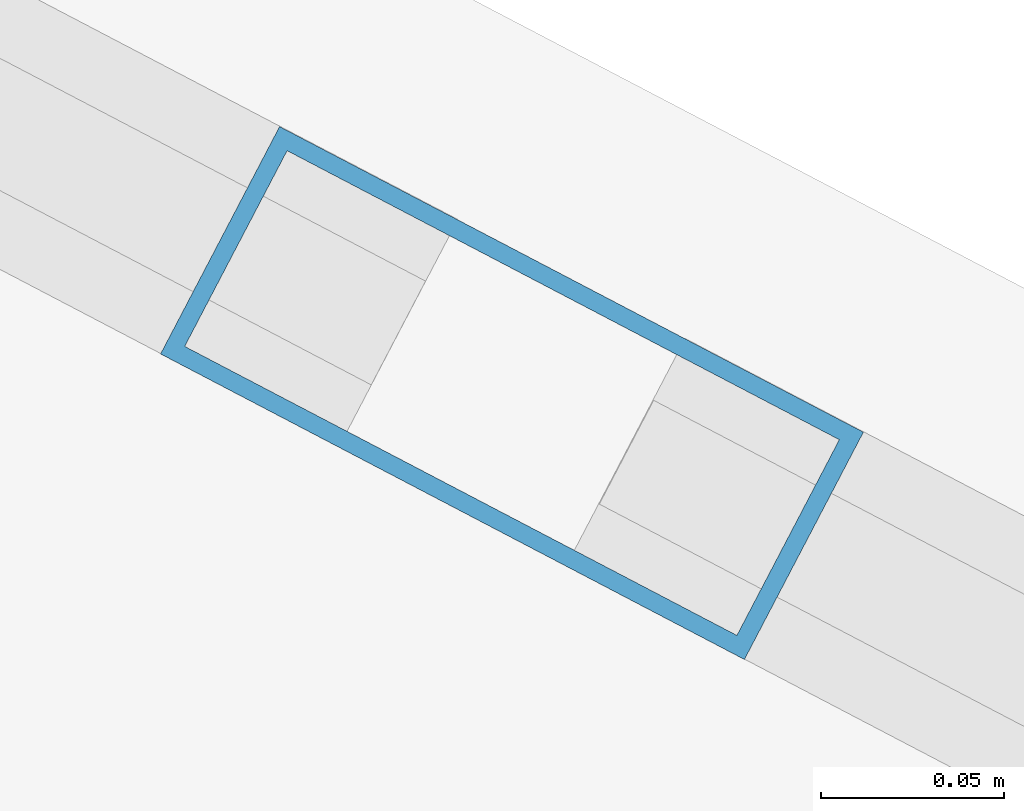
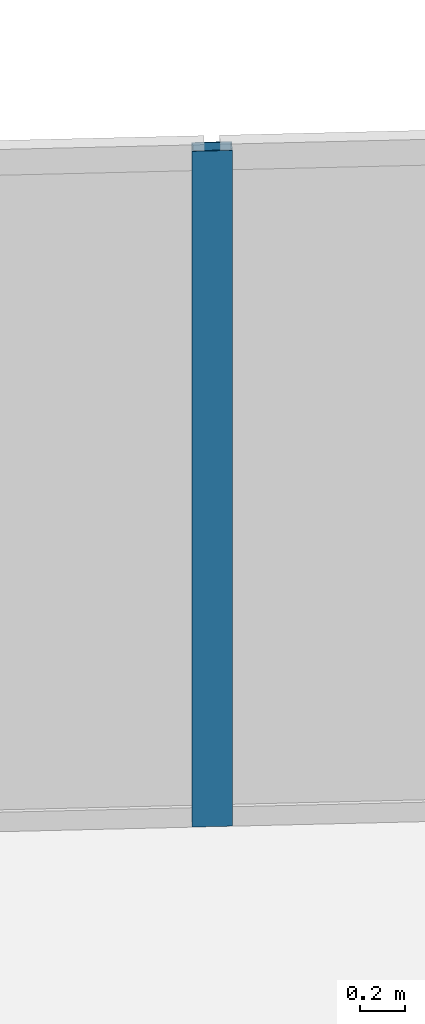
# One storey, part 21 of 27: 1 member, 1 element without a shape of its own.
"""IFC4 building model written with IfcOpenShell, lengths in metres."""

from ifc_helpers import new_model, si_unit, direction, frame, origin, origin_2d, place, context, subcontext, project, spatial, hollow_rectangle, extrude, source, transform, mapped, material, material_profile, profile_set, type_object, type_shapes, element, aggregate, save


model = new_model("IFC4")

# Units and contexts
model_context = context("Model", 3, precision=1e-05, world=origin(), true_north=direction((0.0, 1.0)))
body_context = subcontext(model_context, "Body", "Model", "MODEL_VIEW")
ifc_project = project(units=[si_unit("LENGTHUNIT", "METRE"), si_unit("AREAUNIT", "SQUARE_METRE"), si_unit("VOLUMEUNIT", "CUBIC_METRE"), si_unit("PLANEANGLEUNIT", "RADIAN"), si_unit("MASSUNIT", "GRAM", prefix="KILO")], contexts=[model_context])

# Site, building, storey
site_placement = place(None, origin())
site = spatial("IfcSite", under=ifc_project, at=site_placement, CompositionType="ELEMENT")
building_placement = place(site_placement, origin())
building = spatial("IfcBuilding", under=site, at=building_placement, Name="Krantzveldt Concourse Tower", CompositionType="ELEMENT")
storey_placement = place(building_placement, frame((0.0, 0.0, 150.14990234375)))
storey = spatial("IfcBuildingStorey", under=building, at=storey_placement, Name="L36", CompositionType="ELEMENT", Elevation=150.14990234375)

# Curtain wall, member
ifc_material = material(Name="Anodised aluminium 6063-T6", Category="aluminium")
curtain_wall_type = type_object("IfcCurtainWallType", Name="CW3", PredefinedType="USERDEFINED", material=ifc_material)
curtain_wall_placement = place(storey_placement, origin())
curtain_wall = element("IfcCurtainWall", 1, at=curtain_wall_placement, inside=storey, type_object=curtain_wall_type, Name="CW-L36-F10", ObjectType="UNITISED CURTAIN WALL", PredefinedType="USERDEFINED")
ifc_material_profile = material_profile(ifc_material, hollow_rectangle(XDim=0.070068359375, YDim=0.179931640625, WallThickness=0.0048828125, at=origin_2d()), Name="Anodised aluminium 6063-T6", Category="aluminium")
ifc_profile_set = profile_set([ifc_material_profile], Name="Anodised aluminium 6063-T6 - ALU-MULL 180x70x5")
member_type = type_object("IfcMemberType", Name="CW-MUL-180", PredefinedType="MULLION", material=ifc_profile_set)
shared_shape = source(origin(), body_context, "Body", "SweptSolid", [
    extrude(hollow_rectangle(XDim=0.070068359375, YDim=0.179931640625, WallThickness=0.0048828125, at=origin_2d()), origin(), (0.0, 0.0, 1.0), 3.670166015625),
])
type_shapes(member_type, [shared_shape])
member_placement = place(storey_placement, frame((43.029541015625, 47.63720703125, 0.0), z_axis=(0.0, 0.0, 1.0), x_axis=(-0.463682819502, -0.886001265743, 0.0)))
member = element("IfcMember", 2, at=member_placement, type_object=member_type, Name="CW-Z34 mullion 4", PredefinedType="MULLION", context=body_context, shape_type="MappedRepresentation", body=[
    mapped(shared_shape, transform((0.0, 0.0, 0.0), x_axis=(1.0, 0.0, 0.0), y_axis=(0.0, 1.0, 0.0), z_axis=(0.0, 0.0, 1.0), scale=1.0)),
])
aggregate(curtain_wall, [member])

save(model, "model.ifc")
